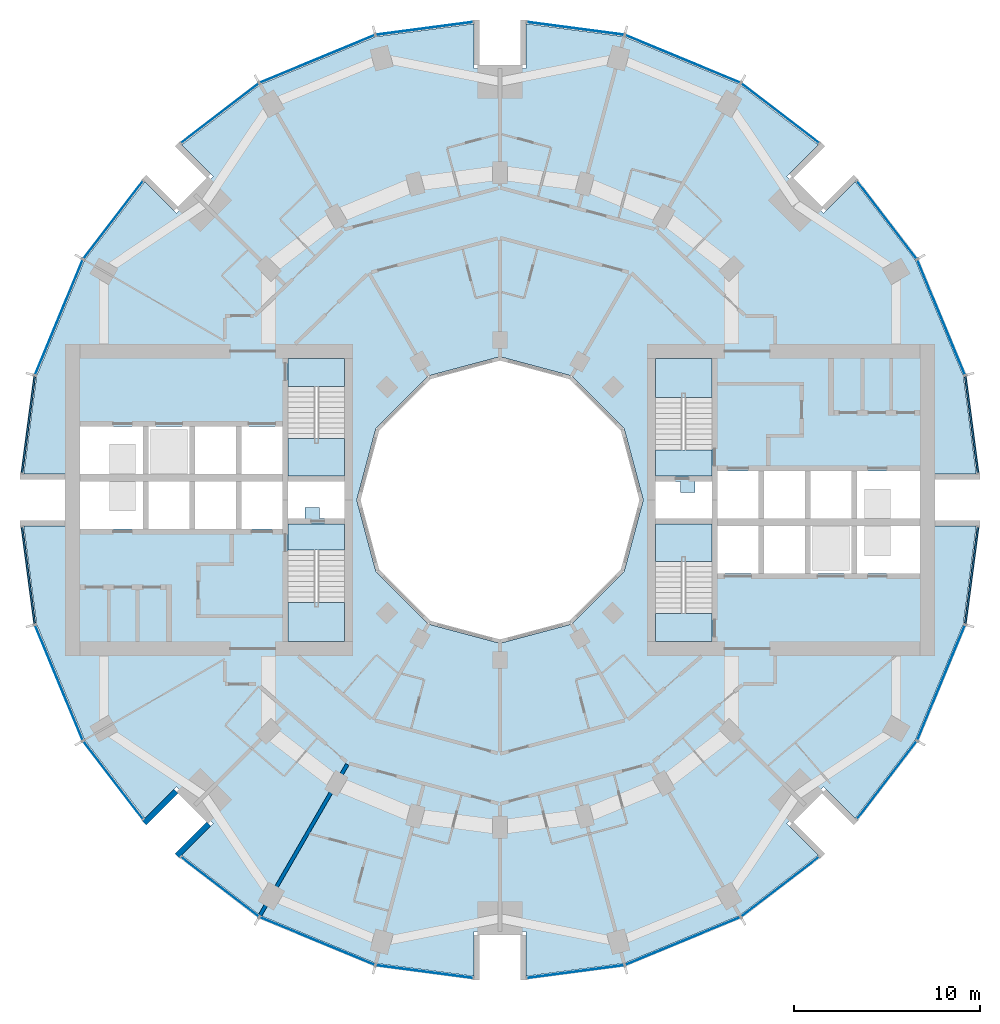
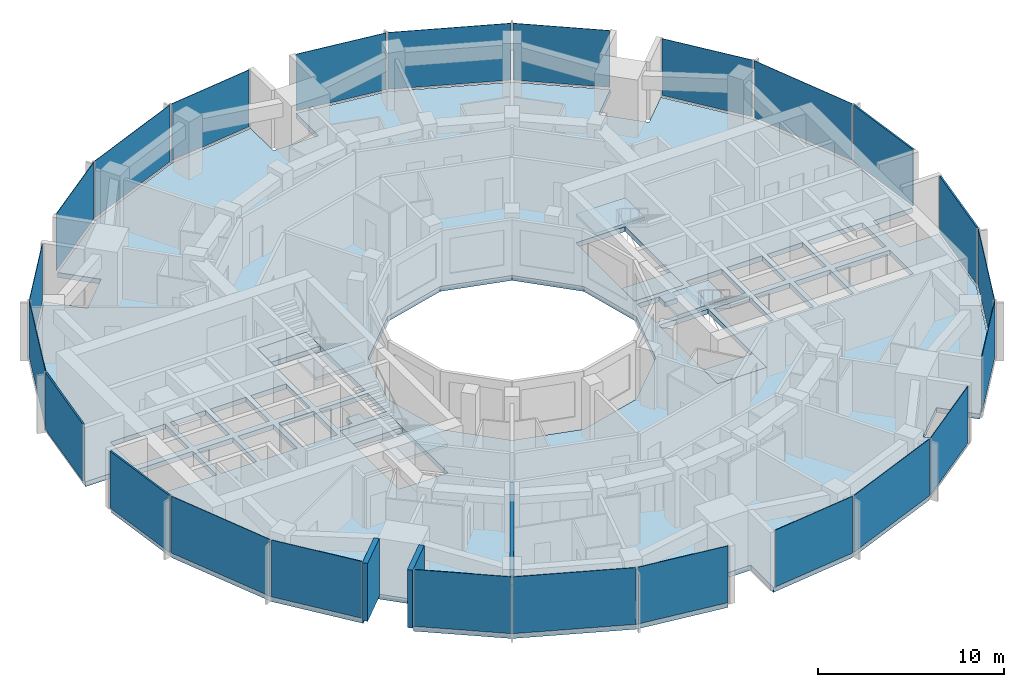
# One storey, part 7 of 15: 24 plates, 9 slabs, 3 walls, 28 elements without a shape of their own.
"""IFC4 building model written with IfcOpenShell, lengths in metres."""

from ifc_helpers import new_model, si_unit, direction, frame, frame_2d, origin, origin_2d, place, context, subcontext, project, spatial, polyline, rectangle, outline, extrude, material, layer, layer_set, type_object, element, aggregate, save


model = new_model("IFC4")

# Units and contexts
model_context = context("Model", 3, precision=1e-05, world=origin(), true_north=direction((0.0, 1.0)))
body_context = subcontext(model_context, "Body", "Model", "MODEL_VIEW")
ifc_project = project(units=[si_unit("LENGTHUNIT", "METRE"), si_unit("AREAUNIT", "SQUARE_METRE"), si_unit("VOLUMEUNIT", "CUBIC_METRE"), si_unit("PLANEANGLEUNIT", "RADIAN"), si_unit("MASSUNIT", "GRAM", prefix="KILO")], contexts=[model_context])

# Site, building, storey
site_placement = place(None, origin())
site = spatial("IfcSite", under=ifc_project, at=site_placement, CompositionType="ELEMENT")
building_placement = place(site_placement, origin())
building = spatial("IfcBuilding", under=site, at=building_placement, Name="Torre Brocal", CompositionType="ELEMENT")
storey_placement = place(building_placement, frame((0.0, 0.0, 51.60009765625)))
storey = spatial("IfcBuildingStorey", under=building, at=storey_placement, Name="L11", CompositionType="ELEMENT", Elevation=51.60009765625)

# Curtain wall, plate
ifc_material_1 = material(Name="Aluminium and glass", Category="aluminium")
ifc_layer_1 = layer(ifc_material_1, 0.199951171875)
ifc_layer_set_1 = layer_set([ifc_layer_1], Name="Aluminium and glass")
curtain_wall_type_1 = type_object("IfcCurtainWallType", Name="CW-1 CURTAIN WALL 3800 HIGH", PredefinedType="NOTDEFINED", material=ifc_layer_set_1)
curtain_wall_1_placement = place(storey_placement, origin())
curtain_wall_1 = element("IfcCurtainWall", 1, at=curtain_wall_1_placement, inside=storey, type_object=curtain_wall_type_1, Name="CW-1 RUN 2", PredefinedType="NOTDEFINED")
ifc_material_2 = material(Name="Glass, dark tinted laminated", Category="glass")
ifc_layer_2 = layer(ifc_material_2, 0.031982421875)
ifc_layer_set_2 = layer_set([ifc_layer_2], Name="Glass, dark tinted laminated")
plate_type_1 = type_object("IfcPlateType", Name="CW-1 GLASS PANEL 32", PredefinedType="CURTAIN_PANEL", material=ifc_layer_set_2)
plate_1_placement = place(storey_placement, frame((103.722900390625, 84.826416015625, 0.080078125), z_axis=(0.0, 0.0, 1.0), x_axis=(-0.382683432333, 0.923879532525, 0.0)))
plate_1 = element("IfcPlate", 2, at=plate_1_placement, type_object=plate_type_1, Name="CW1-1 panel 1.1", PredefinedType="CURTAIN_PANEL", context=body_context, shape_type="SweptSolid", body=[
    extrude(rectangle(XDim=6.64111328125, YDim=0.031982421875, at=origin_2d()), origin(), (0.0, 0.0, 1.0), 3.719970703125),
])
aggregate(curtain_wall_1, [plate_1])

curtain_wall_2_placement = place(storey_placement, origin())
curtain_wall_2 = element("IfcCurtainWall", 3, at=curtain_wall_2_placement, inside=storey, type_object=curtain_wall_type_1, Name="CW-1 RUN 3", PredefinedType="NOTDEFINED")
plate_2_placement = place(storey_placement, frame((100.80126953125, 90.0712890625, 0.080078125), z_axis=(0.0, 0.0, 1.0), x_axis=(-0.60876142905, 0.793353340259, 0.0)))
plate_2 = element("IfcPlate", 4, at=plate_2_placement, type_object=plate_type_1, Name="CW1-1 panel 1.1", PredefinedType="CURTAIN_PANEL", context=body_context, shape_type="SweptSolid", body=[
    extrude(rectangle(XDim=5.22900390625, YDim=0.031982421875, at=origin_2d()), origin(), (0.0, 0.0, 1.0), 3.719970703125),
])
aggregate(curtain_wall_2, [plate_2])

curtain_wall_3_placement = place(storey_placement, origin())
curtain_wall_3 = element("IfcCurtainWall", 5, at=curtain_wall_3_placement, inside=storey, type_object=curtain_wall_type_1, Name="CW-1 RUN 4", PredefinedType="NOTDEFINED")
plate_3_placement = place(storey_placement, frame((95.0712890625, 95.80126953125, 0.080078125), z_axis=(0.0, 0.0, 1.0), x_axis=(-0.793353340259, 0.60876142905, 0.0)))
plate_3 = element("IfcPlate", 6, at=plate_3_placement, type_object=plate_type_1, Name="CW1-1 panel 1.1", PredefinedType="CURTAIN_PANEL", context=body_context, shape_type="SweptSolid", body=[
    extrude(rectangle(XDim=5.22900390625, YDim=0.031982421875, at=origin_2d()), origin(), (0.0, 0.0, 1.0), 3.719970703125),
])
aggregate(curtain_wall_3, [plate_3])

curtain_wall_4_placement = place(storey_placement, origin())
curtain_wall_4 = element("IfcCurtainWall", 7, at=curtain_wall_4_placement, inside=storey, type_object=curtain_wall_type_1, Name="CW-1 RUN 5", PredefinedType="NOTDEFINED")
plate_4_placement = place(storey_placement, frame((89.826416015625, 98.722900390625, 0.080078125), z_axis=(0.0, 0.0, 1.0), x_axis=(-0.923879532525, 0.382683432333, 0.0)))
plate_4 = element("IfcPlate", 8, at=plate_4_placement, type_object=plate_type_1, Name="CW1-1 panel 1.1", PredefinedType="CURTAIN_PANEL", context=body_context, shape_type="SweptSolid", body=[
    extrude(rectangle(XDim=6.64111328125, YDim=0.031982421875, at=origin_2d()), origin(), (0.0, 0.0, 1.0), 3.719970703125),
])
aggregate(curtain_wall_4, [plate_4])

curtain_wall_5_placement = place(storey_placement, origin())
curtain_wall_5 = element("IfcCurtainWall", 9, at=curtain_wall_5_placement, inside=storey, type_object=curtain_wall_type_1, Name="CW-1 RUN 6", PredefinedType="NOTDEFINED")
plate_5_placement = place(storey_placement, frame((84.051513671875, 100.36572265625, 0.080078125), z_axis=(0.0, 0.0, 1.0), x_axis=(-0.991444861374, 0.13052619222, 0.0)))
plate_5 = element("IfcPlate", 10, at=plate_5_placement, type_object=plate_type_1, Name="CW1-1 panel 1.1", PredefinedType="CURTAIN_PANEL", context=body_context, shape_type="SweptSolid", body=[
    extrude(rectangle(XDim=5.22900390625, YDim=0.031982421875, at=origin_2d()), origin(), (0.0, 0.0, 1.0), 3.719970703125),
])
aggregate(curtain_wall_5, [plate_5])

curtain_wall_6_placement = place(storey_placement, origin())
curtain_wall_6 = element("IfcCurtainWall", 11, at=curtain_wall_6_placement, inside=storey, type_object=curtain_wall_type_1, Name="CW-1 RUN 7", PredefinedType="NOTDEFINED")
plate_6_placement = place(storey_placement, frame((75.948486328125, 100.36572265625, 0.080078125), z_axis=(0.0, 0.0, 1.0), x_axis=(-0.991444861374, -0.13052619222, 0.0)))
plate_6 = element("IfcPlate", 12, at=plate_6_placement, type_object=plate_type_1, Name="CW1-1 panel 1.1", PredefinedType="CURTAIN_PANEL", context=body_context, shape_type="SweptSolid", body=[
    extrude(rectangle(XDim=5.22900390625, YDim=0.031982421875, at=origin_2d()), origin(), (0.0, 0.0, 1.0), 3.719970703125),
])
aggregate(curtain_wall_6, [plate_6])

curtain_wall_7_placement = place(storey_placement, origin())
curtain_wall_7 = element("IfcCurtainWall", 13, at=curtain_wall_7_placement, inside=storey, type_object=curtain_wall_type_1, Name="CW-1 RUN 8", PredefinedType="NOTDEFINED")
plate_7_placement = place(storey_placement, frame((70.173583984375, 98.722900390625, 0.080078125), z_axis=(0.0, 0.0, 1.0), x_axis=(-0.923879532525, -0.382683432333, 0.0)))
plate_7 = element("IfcPlate", 14, at=plate_7_placement, type_object=plate_type_1, Name="CW1-1 panel 1.1", PredefinedType="CURTAIN_PANEL", context=body_context, shape_type="SweptSolid", body=[
    extrude(rectangle(XDim=6.64111328125, YDim=0.031982421875, at=origin_2d()), origin(), (0.0, 0.0, 1.0), 3.719970703125),
])
aggregate(curtain_wall_7, [plate_7])

curtain_wall_8_placement = place(storey_placement, origin())
curtain_wall_8 = element("IfcCurtainWall", 15, at=curtain_wall_8_placement, inside=storey, type_object=curtain_wall_type_1, Name="CW-1 RUN 9", PredefinedType="NOTDEFINED")
plate_8_placement = place(storey_placement, frame((64.9287109375, 95.80126953125, 0.080078125), z_axis=(0.0, 0.0, 1.0), x_axis=(-0.793353340259, -0.60876142905, 0.0)))
plate_8 = element("IfcPlate", 16, at=plate_8_placement, type_object=plate_type_1, Name="CW1-1 panel 1.1", PredefinedType="CURTAIN_PANEL", context=body_context, shape_type="SweptSolid", body=[
    extrude(rectangle(XDim=5.22900390625, YDim=0.031982421875, at=origin_2d()), origin(), (0.0, 0.0, 1.0), 3.719970703125),
])
aggregate(curtain_wall_8, [plate_8])

curtain_wall_9_placement = place(storey_placement, origin())
curtain_wall_9 = element("IfcCurtainWall", 17, at=curtain_wall_9_placement, inside=storey, type_object=curtain_wall_type_1, Name="CW-1 RUN 10", PredefinedType="NOTDEFINED")
plate_9_placement = place(storey_placement, frame((59.19873046875, 90.0712890625, 0.080078125), z_axis=(0.0, 0.0, 1.0), x_axis=(-0.60876142905, -0.793353340259, 0.0)))
plate_9 = element("IfcPlate", 18, at=plate_9_placement, type_object=plate_type_1, Name="CW1-1 panel 1.1", PredefinedType="CURTAIN_PANEL", context=body_context, shape_type="SweptSolid", body=[
    extrude(rectangle(XDim=5.22900390625, YDim=0.031982421875, at=origin_2d()), origin(), (0.0, 0.0, 1.0), 3.719970703125),
])
aggregate(curtain_wall_9, [plate_9])

curtain_wall_10_placement = place(storey_placement, origin())
curtain_wall_10 = element("IfcCurtainWall", 19, at=curtain_wall_10_placement, inside=storey, type_object=curtain_wall_type_1, Name="CW-1 RUN 11", PredefinedType="NOTDEFINED")
plate_10_placement = place(storey_placement, frame((56.277099609375, 84.826416015625, 0.080078125), z_axis=(0.0, 0.0, 1.0), x_axis=(-0.382683432333, -0.923879532525, 0.0)))
plate_10 = element("IfcPlate", 20, at=plate_10_placement, type_object=plate_type_1, Name="CW1-1 panel 1.1", PredefinedType="CURTAIN_PANEL", context=body_context, shape_type="SweptSolid", body=[
    extrude(rectangle(XDim=6.64111328125, YDim=0.031982421875, at=origin_2d()), origin(), (0.0, 0.0, 1.0), 3.719970703125),
])
aggregate(curtain_wall_10, [plate_10])

curtain_wall_11_placement = place(storey_placement, origin())
curtain_wall_11 = element("IfcCurtainWall", 21, at=curtain_wall_11_placement, inside=storey, type_object=curtain_wall_type_1, Name="CW-1 RUN 14", PredefinedType="NOTDEFINED")
plate_11_placement = place(storey_placement, frame((56.277099609375, 65.173583984375, 0.080078125), z_axis=(0.0, 0.0, 1.0), x_axis=(0.382683432333, -0.923879532525, 0.0)))
plate_11 = element("IfcPlate", 22, at=plate_11_placement, type_object=plate_type_1, Name="CW1-1 panel 1.1", PredefinedType="CURTAIN_PANEL", context=body_context, shape_type="SweptSolid", body=[
    extrude(rectangle(XDim=6.64111328125, YDim=0.031982421875, at=origin_2d()), origin(), (0.0, 0.0, 1.0), 3.719970703125),
])
aggregate(curtain_wall_11, [plate_11])

curtain_wall_12_placement = place(storey_placement, origin())
curtain_wall_12 = element("IfcCurtainWall", 23, at=curtain_wall_12_placement, inside=storey, type_object=curtain_wall_type_1, Name="CW-1 RUN 15", PredefinedType="NOTDEFINED")
plate_12_placement = place(storey_placement, frame((59.19873046875, 59.9287109375, 0.080078125), z_axis=(0.0, 0.0, 1.0), x_axis=(0.60876142905, -0.793353340259, 0.0)))
plate_12 = element("IfcPlate", 24, at=plate_12_placement, type_object=plate_type_1, Name="CW1-1 panel 1.1", PredefinedType="CURTAIN_PANEL", context=body_context, shape_type="SweptSolid", body=[
    extrude(rectangle(XDim=5.22900390625, YDim=0.031982421875, at=origin_2d()), origin(), (0.0, 0.0, 1.0), 3.719970703125),
])
aggregate(curtain_wall_12, [plate_12])

curtain_wall_13_placement = place(storey_placement, origin())
curtain_wall_13 = element("IfcCurtainWall", 25, at=curtain_wall_13_placement, inside=storey, type_object=curtain_wall_type_1, Name="CW-1 RUN 16", PredefinedType="NOTDEFINED")
plate_13_placement = place(storey_placement, frame((64.9287109375, 54.19873046875, 0.080078125), z_axis=(0.0, 0.0, 1.0), x_axis=(0.793353340259, -0.60876142905, 0.0)))
plate_13 = element("IfcPlate", 26, at=plate_13_placement, type_object=plate_type_1, Name="CW1-1 panel 1.1", PredefinedType="CURTAIN_PANEL", context=body_context, shape_type="SweptSolid", body=[
    extrude(rectangle(XDim=5.22900390625, YDim=0.031982421875, at=origin_2d()), origin(), (0.0, 0.0, 1.0), 3.719970703125),
])
aggregate(curtain_wall_13, [plate_13])

curtain_wall_14_placement = place(storey_placement, origin())
curtain_wall_14 = element("IfcCurtainWall", 27, at=curtain_wall_14_placement, inside=storey, type_object=curtain_wall_type_1, Name="CW-1 RUN 17", PredefinedType="NOTDEFINED")
plate_14_placement = place(storey_placement, frame((70.173583984375, 51.277099609375, 0.080078125), z_axis=(0.0, 0.0, 1.0), x_axis=(0.923879532525, -0.382683432333, 0.0)))
plate_14 = element("IfcPlate", 28, at=plate_14_placement, type_object=plate_type_1, Name="CW1-1 panel 1.1", PredefinedType="CURTAIN_PANEL", context=body_context, shape_type="SweptSolid", body=[
    extrude(rectangle(XDim=6.64111328125, YDim=0.031982421875, at=origin_2d()), origin(), (0.0, 0.0, 1.0), 3.719970703125),
])
aggregate(curtain_wall_14, [plate_14])

curtain_wall_15_placement = place(storey_placement, origin())
curtain_wall_15 = element("IfcCurtainWall", 29, at=curtain_wall_15_placement, inside=storey, type_object=curtain_wall_type_1, Name="CW-1 RUN 18", PredefinedType="NOTDEFINED")
plate_15_placement = place(storey_placement, frame((75.948486328125, 49.63427734375, 0.080078125), z_axis=(0.0, 0.0, 1.0), x_axis=(0.991444861374, -0.13052619222, 0.0)))
plate_15 = element("IfcPlate", 30, at=plate_15_placement, type_object=plate_type_1, Name="CW1-1 panel 1.1", PredefinedType="CURTAIN_PANEL", context=body_context, shape_type="SweptSolid", body=[
    extrude(rectangle(XDim=5.22900390625, YDim=0.031982421875, at=origin_2d()), origin(), (0.0, 0.0, 1.0), 3.719970703125),
])
aggregate(curtain_wall_15, [plate_15])

curtain_wall_16_placement = place(storey_placement, origin())
curtain_wall_16 = element("IfcCurtainWall", 31, at=curtain_wall_16_placement, inside=storey, type_object=curtain_wall_type_1, Name="CW-1 RUN 19", PredefinedType="NOTDEFINED")
plate_16_placement = place(storey_placement, frame((84.051513671875, 49.63427734375, 0.080078125), z_axis=(0.0, 0.0, 1.0), x_axis=(0.991444861374, 0.13052619222, 0.0)))
plate_16 = element("IfcPlate", 32, at=plate_16_placement, type_object=plate_type_1, Name="CW1-1 panel 1.1", PredefinedType="CURTAIN_PANEL", context=body_context, shape_type="SweptSolid", body=[
    extrude(rectangle(XDim=5.22900390625, YDim=0.031982421875, at=origin_2d()), origin(), (0.0, 0.0, 1.0), 3.719970703125),
])
aggregate(curtain_wall_16, [plate_16])

curtain_wall_17_placement = place(storey_placement, origin())
curtain_wall_17 = element("IfcCurtainWall", 33, at=curtain_wall_17_placement, inside=storey, type_object=curtain_wall_type_1, Name="CW-1 RUN 20", PredefinedType="NOTDEFINED")
plate_17_placement = place(storey_placement, frame((89.826416015625, 51.277099609375, 0.080078125), z_axis=(0.0, 0.0, 1.0), x_axis=(0.923879532525, 0.382683432333, 0.0)))
plate_17 = element("IfcPlate", 34, at=plate_17_placement, type_object=plate_type_1, Name="CW1-1 panel 1.1", PredefinedType="CURTAIN_PANEL", context=body_context, shape_type="SweptSolid", body=[
    extrude(rectangle(XDim=6.64111328125, YDim=0.031982421875, at=origin_2d()), origin(), (0.0, 0.0, 1.0), 3.719970703125),
])
aggregate(curtain_wall_17, [plate_17])

curtain_wall_18_placement = place(storey_placement, origin())
curtain_wall_18 = element("IfcCurtainWall", 35, at=curtain_wall_18_placement, inside=storey, type_object=curtain_wall_type_1, Name="CW-1 RUN 21", PredefinedType="NOTDEFINED")
plate_18_placement = place(storey_placement, frame((95.0712890625, 54.19873046875, 0.080078125), z_axis=(0.0, 0.0, 1.0), x_axis=(0.793353340259, 0.60876142905, 0.0)))
plate_18 = element("IfcPlate", 36, at=plate_18_placement, type_object=plate_type_1, Name="CW1-1 panel 1.1", PredefinedType="CURTAIN_PANEL", context=body_context, shape_type="SweptSolid", body=[
    extrude(rectangle(XDim=5.22900390625, YDim=0.031982421875, at=origin_2d()), origin(), (0.0, 0.0, 1.0), 3.719970703125),
])
aggregate(curtain_wall_18, [plate_18])

curtain_wall_19_placement = place(storey_placement, origin())
curtain_wall_19 = element("IfcCurtainWall", 37, at=curtain_wall_19_placement, inside=storey, type_object=curtain_wall_type_1, Name="CW-1 RUN 22", PredefinedType="NOTDEFINED")
plate_19_placement = place(storey_placement, frame((100.80126953125, 59.9287109375, 0.080078125), z_axis=(0.0, 0.0, 1.0), x_axis=(0.60876142905, 0.793353340259, 0.0)))
plate_19 = element("IfcPlate", 38, at=plate_19_placement, type_object=plate_type_1, Name="CW1-1 panel 1.1", PredefinedType="CURTAIN_PANEL", context=body_context, shape_type="SweptSolid", body=[
    extrude(rectangle(XDim=5.22900390625, YDim=0.031982421875, at=origin_2d()), origin(), (0.0, 0.0, 1.0), 3.719970703125),
])
aggregate(curtain_wall_19, [plate_19])

curtain_wall_20_placement = place(storey_placement, origin())
curtain_wall_20 = element("IfcCurtainWall", 39, at=curtain_wall_20_placement, inside=storey, type_object=curtain_wall_type_1, Name="CW-1 RUN 23", PredefinedType="NOTDEFINED")
plate_20_placement = place(storey_placement, frame((103.722900390625, 65.173583984375, 0.080078125), z_axis=(0.0, 0.0, 1.0), x_axis=(0.382683432333, 0.923879532525, 0.0)))
plate_20 = element("IfcPlate", 40, at=plate_20_placement, type_object=plate_type_1, Name="CW1-1 panel 1.1", PredefinedType="CURTAIN_PANEL", context=body_context, shape_type="SweptSolid", body=[
    extrude(rectangle(XDim=6.64111328125, YDim=0.031982421875, at=origin_2d()), origin(), (0.0, 0.0, 1.0), 3.719970703125),
])
aggregate(curtain_wall_20, [plate_20])

ifc_material_3 = material(Name="Aluminium and glass", Category="aluminium")
ifc_layer_3 = layer(ifc_material_3, 0.199951171875)
ifc_layer_set_3 = layer_set([ifc_layer_3], Name="Aluminium and glass")
curtain_wall_type_2 = type_object("IfcCurtainWallType", Name="CW-1B CURTAIN WALL 3800 HIGH", PredefinedType="NOTDEFINED", material=ifc_layer_set_3)
curtain_wall_21_placement = place(storey_placement, origin())
curtain_wall_21 = element("IfcCurtainWall", 41, at=curtain_wall_21_placement, inside=storey, type_object=curtain_wall_type_2, Name="CW-1B RUN 1", PredefinedType="NOTDEFINED")
ifc_material_4 = material(Name="Aluminium composite panel", Category="aluminium")
ifc_layer_4 = layer(ifc_material_4, 0.10009765625)
ifc_layer_set_4 = layer_set([ifc_layer_4], Name="Aluminium composite panel")
plate_type_2 = type_object("IfcPlateType", Name="CW-1B OPAQUE PANEL 100", PredefinedType="CURTAIN_PANEL", material=ifc_layer_set_4)
plate_21_placement = place(storey_placement, frame((105.36572265625, 79.051513671875, 0.080078125), z_axis=(0.0, 0.0, 1.0), x_axis=(-0.13052619222, 0.991444861374, 0.0)))
plate_21 = element("IfcPlate", 42, at=plate_21_placement, type_object=plate_type_2, Name="CW1B-1 panel 1.1", PredefinedType="CURTAIN_PANEL", context=body_context, shape_type="SweptSolid", body=[
    extrude(rectangle(XDim=5.22900390625, YDim=0.10009765625, at=origin_2d()), origin(), (0.0, 0.0, 1.0), 3.719970703125),
])
aggregate(curtain_wall_21, [plate_21])

curtain_wall_22_placement = place(storey_placement, origin())
curtain_wall_22 = element("IfcCurtainWall", 43, at=curtain_wall_22_placement, inside=storey, type_object=curtain_wall_type_2, Name="CW-1B RUN 12", PredefinedType="NOTDEFINED")
plate_22_placement = place(storey_placement, frame((54.63427734375, 79.051513671875, 0.080078125), z_axis=(0.0, 0.0, 1.0), x_axis=(-0.13052619222, -0.991444861374, 0.0)))
plate_22 = element("IfcPlate", 44, at=plate_22_placement, type_object=plate_type_2, Name="CW1B-1 panel 1.1", PredefinedType="CURTAIN_PANEL", context=body_context, shape_type="SweptSolid", body=[
    extrude(rectangle(XDim=5.22900390625, YDim=0.10009765625, at=origin_2d()), origin(), (0.0, 0.0, 1.0), 3.719970703125),
])
aggregate(curtain_wall_22, [plate_22])

curtain_wall_23_placement = place(storey_placement, origin())
curtain_wall_23 = element("IfcCurtainWall", 45, at=curtain_wall_23_placement, inside=storey, type_object=curtain_wall_type_2, Name="CW-1B RUN 13", PredefinedType="NOTDEFINED")
plate_23_placement = place(storey_placement, frame((54.63427734375, 70.948486328125, 0.080078125), z_axis=(0.0, 0.0, 1.0), x_axis=(0.13052619222, -0.991444861374, 0.0)))
plate_23 = element("IfcPlate", 46, at=plate_23_placement, type_object=plate_type_2, Name="CW1B-1 panel 1.1", PredefinedType="CURTAIN_PANEL", context=body_context, shape_type="SweptSolid", body=[
    extrude(rectangle(XDim=5.22900390625, YDim=0.10009765625, at=origin_2d()), origin(), (0.0, 0.0, 1.0), 3.719970703125),
])
aggregate(curtain_wall_23, [plate_23])

curtain_wall_24_placement = place(storey_placement, origin())
curtain_wall_24 = element("IfcCurtainWall", 47, at=curtain_wall_24_placement, inside=storey, type_object=curtain_wall_type_2, Name="CW-1B RUN 24", PredefinedType="NOTDEFINED")
plate_24_placement = place(storey_placement, frame((105.36572265625, 70.948486328125, 0.080078125), z_axis=(0.0, 0.0, 1.0), x_axis=(0.13052619222, 0.991444861374, 0.0)))
plate_24 = element("IfcPlate", 48, at=plate_24_placement, type_object=plate_type_2, Name="CW1B-1 panel 1.1", PredefinedType="CURTAIN_PANEL", context=body_context, shape_type="SweptSolid", body=[
    extrude(rectangle(XDim=5.22900390625, YDim=0.10009765625, at=origin_2d()), origin(), (0.0, 0.0, 1.0), 3.719970703125),
])
aggregate(curtain_wall_24, [plate_24])

# Stair, slab
ifc_material_5 = material(Name="Concrete C50", Category="concrete")
stair_type = type_object("IfcStairType", Name="EXIT STAIR", PredefinedType="HALF_TURN_STAIR", material=ifc_material_5)
stair_1_placement = place(storey_placement, origin())
stair_1 = element("IfcStair", 49, at=stair_1_placement, inside=storey, type_object=stair_type, Name="EXIT STAIR ST1", PredefinedType="HALF_TURN_STAIR")
ifc_material_6 = material(Name="Concrete C50", Category="concrete")
ifc_layer_5 = layer(ifc_material_6, 0.320068359375)
ifc_layer_set_5 = layer_set([ifc_layer_5], Name="Concrete C50")
slab_type_1 = type_object("IfcSlabType", Name="FLOOR LANDING 320", PredefinedType="LANDING", material=ifc_layer_set_5)
slab_1_placement = place(storey_placement, frame((0.0, 0.0, -0.320068359375)))
slab_1 = element("IfcSlab", 50, at=slab_1_placement, type_object=slab_type_1, Name="ST1 landing 1", PredefinedType="LANDING", context=body_context, shape_type="SweptSolid", body=[
    extrude(outline(polyline([(88.35009765625, 76.300048828125), (91.39990234375, 76.300048828125), (91.39990234375, 77.699951171875), (88.35009765625, 77.699951171875), (88.35009765625, 76.300048828125)])), origin(), (0.0, 0.0, 1.0), 0.320068359375),
])

stair_2_placement = place(storey_placement, origin())
stair_2 = element("IfcStair", 51, at=stair_2_placement, inside=storey, type_object=stair_type, Name="EXIT STAIR ST2", PredefinedType="HALF_TURN_STAIR")
slab_2_placement = place(storey_placement, frame((0.0, 0.0, -0.320068359375)))
slab_2 = element("IfcSlab", 52, at=slab_2_placement, type_object=slab_type_1, Name="ST2 landing 1", PredefinedType="LANDING", context=body_context, shape_type="SweptSolid", body=[
    extrude(outline(polyline([(88.35009765625, 67.39990234375), (91.39990234375, 67.39990234375), (91.39990234375, 68.89990234375), (88.35009765625, 68.89990234375), (88.35009765625, 67.39990234375)])), origin(), (0.0, 0.0, 1.0), 0.320068359375),
])

stair_3_placement = place(storey_placement, origin())
stair_3 = element("IfcStair", 53, at=stair_3_placement, inside=storey, type_object=stair_type, Name="EXIT STAIR ST3", PredefinedType="HALF_TURN_STAIR")
slab_3_placement = place(storey_placement, frame((0.0, 0.0, -0.320068359375)))
slab_3 = element("IfcSlab", 54, at=slab_3_placement, type_object=slab_type_1, Name="ST3 landing 1", PredefinedType="LANDING", context=body_context, shape_type="SweptSolid", body=[
    extrude(outline(polyline([(71.64990234375, 73.699951171875), (68.60009765625, 73.699951171875), (68.60009765625, 72.300048828125), (71.64990234375, 72.300048828125), (71.64990234375, 73.699951171875)])), origin(), (0.0, 0.0, 1.0), 0.320068359375),
])

stair_4_placement = place(storey_placement, origin())
stair_4 = element("IfcStair", 55, at=stair_4_placement, inside=storey, type_object=stair_type, Name="EXIT STAIR ST4", PredefinedType="HALF_TURN_STAIR")
slab_4_placement = place(storey_placement, frame((0.0, 0.0, -0.320068359375)))
slab_4 = element("IfcSlab", 56, at=slab_4_placement, type_object=slab_type_1, Name="ST4 landing 1", PredefinedType="LANDING", context=body_context, shape_type="SweptSolid", body=[
    extrude(outline(polyline([(71.64990234375, 82.60009765625), (68.60009765625, 82.60009765625), (68.60009765625, 81.10009765625), (71.64990234375, 81.10009765625), (71.64990234375, 82.60009765625)])), origin(), (0.0, 0.0, 1.0), 0.320068359375),
])

# Slab
ifc_material_7 = material(Name="Concrete C50", Category="concrete")
ifc_layer_6 = layer(ifc_material_7, 0.199951171875)
ifc_layer_set_6 = layer_set([ifc_layer_6], Name="Concrete C50")
slab_type_2 = type_object("IfcSlabType", Name="MID LANDING +1900", PredefinedType="LANDING", material=ifc_layer_set_6)
slab_5_placement = place(storey_placement, frame((0.0, 0.0, 1.699951171875)))
slab_5 = element("IfcSlab", 57, at=slab_5_placement, type_object=slab_type_2, Name="ST1 landing 2", PredefinedType="LANDING", context=body_context, shape_type="SweptSolid", body=[
    extrude(outline(polyline([(88.35009765625, 80.5), (91.39990234375, 80.5), (91.39990234375, 82.60009765625), (88.35009765625, 82.60009765625), (88.35009765625, 80.5)])), origin(), (0.0, 0.0, 1.0), 0.199951171875),
])

aggregate(stair_1, [slab_1, slab_5])

slab_6_placement = place(storey_placement, frame((0.0, 0.0, 1.699951171875)))
slab_6 = element("IfcSlab", 58, at=slab_6_placement, type_object=slab_type_2, Name="ST2 landing 2", PredefinedType="LANDING", context=body_context, shape_type="SweptSolid", body=[
    extrude(outline(polyline([(88.35009765625, 71.699951171875), (91.39990234375, 71.699951171875), (91.39990234375, 73.699951171875), (88.35009765625, 73.699951171875), (88.35009765625, 71.699951171875)])), origin(), (0.0, 0.0, 1.0), 0.199951171875),
])

aggregate(stair_2, [slab_2, slab_6])

slab_7_placement = place(storey_placement, frame((0.0, 0.0, 1.699951171875)))
slab_7 = element("IfcSlab", 59, at=slab_7_placement, type_object=slab_type_2, Name="ST3 landing 2", PredefinedType="LANDING", context=body_context, shape_type="SweptSolid", body=[
    extrude(outline(polyline([(71.64990234375, 69.5), (68.60009765625, 69.5), (68.60009765625, 67.39990234375), (71.64990234375, 67.39990234375), (71.64990234375, 69.5)])), origin(), (0.0, 0.0, 1.0), 0.199951171875),
])

aggregate(stair_3, [slab_3, slab_7])

slab_8_placement = place(storey_placement, frame((0.0, 0.0, 1.699951171875)))
slab_8 = element("IfcSlab", 60, at=slab_8_placement, type_object=slab_type_2, Name="ST4 landing 2", PredefinedType="LANDING", context=body_context, shape_type="SweptSolid", body=[
    extrude(outline(polyline([(71.64990234375, 78.300048828125), (68.60009765625, 78.300048828125), (68.60009765625, 76.300048828125), (71.64990234375, 76.300048828125), (71.64990234375, 78.300048828125)])), origin(), (0.0, 0.0, 1.0), 0.199951171875),
])

aggregate(stair_4, [slab_4, slab_8])

ifc_material_8 = material(Name="Concrete C45", Category="concrete")
ifc_layer_7 = layer(ifc_material_8, 0.320068359375)
ifc_layer_set_7 = layer_set([ifc_layer_7], Name="Concrete C45")
slab_type_3 = type_object("IfcSlabType", Name="PT FLOOR SLAB 320 C45", PredefinedType="FLOOR", material=ifc_layer_set_7)
slab_9_placement = place(storey_placement, frame((0.0, 0.0, -0.320068359375)))
element("IfcSlab", 61, at=slab_9_placement, inside=storey, type_object=slab_type_3, Name="Slab ST-05", PredefinedType="FLOOR", context=body_context, shape_type="SweptSolid", body=[
    extrude(outline(polyline([(103.199951171875, 76.39990234375), (103.199951171875, 73.60009765625), (105.614013671875, 73.60009765625), (104.919189453125, 68.322998046875), (102.342041015625, 62.100830078125), (99.101806640625, 57.878173828125), (97.394775390625, 59.5849609375), (95.4150390625, 57.605224609375), (97.121826171875, 55.898193359375), (92.899169921875, 52.657958984375), (86.677001953125, 50.080810546875), (81.39990234375, 49.385986328125), (81.39990234375, 51.800048828125), (78.60009765625, 51.800048828125), (78.60009765625, 49.385986328125), (73.322998046875, 50.080810546875), (67.100830078125, 52.657958984375), (62.878173828125, 55.898193359375), (64.5849609375, 57.605224609375), (62.605224609375, 59.5849609375), (60.898193359375, 57.878173828125), (57.657958984375, 62.100830078125), (55.080810546875, 68.322998046875), (54.385986328125, 73.60009765625), (56.800048828125, 73.60009765625), (56.800048828125, 76.39990234375), (54.385986328125, 76.39990234375), (55.080810546875, 81.677001953125), (57.657958984375, 87.899169921875), (60.898193359375, 92.121826171875), (62.605224609375, 90.4150390625), (64.5849609375, 92.394775390625), (62.878173828125, 94.101806640625), (67.100830078125, 97.342041015625), (73.322998046875, 99.919189453125), (78.60009765625, 100.614013671875), (78.60009765625, 98.199951171875), (81.39990234375, 98.199951171875), (81.39990234375, 100.614013671875), (86.677001953125, 99.919189453125), (92.899169921875, 97.342041015625), (97.121826171875, 94.101806640625), (95.4150390625, 92.394775390625), (97.394775390625, 90.4150390625), (99.101806640625, 92.121826171875), (102.342041015625, 87.899169921875), (104.919189453125, 81.677001953125), (105.614013671875, 76.39990234375), (103.199951171875, 76.39990234375)]), holes=[polyline([(102.60009765625, 74.0), (102.60009765625, 76.550048828125), (99.199951171875, 76.550048828125), (99.199951171875, 74.0), (102.60009765625, 74.0)]), polyline([(102.60009765625, 71.050048828125), (102.60009765625, 73.60009765625), (99.199951171875, 73.60009765625), (99.199951171875, 71.050048828125), (102.60009765625, 71.050048828125)]), polyline([(98.89990234375, 76.550048828125), (96.699951171875, 76.550048828125), (96.699951171875, 74.0), (98.89990234375, 74.0), (98.89990234375, 76.550048828125)]), polyline([(98.89990234375, 71.050048828125), (98.89990234375, 73.60009765625), (96.699951171875, 73.60009765625), (96.699951171875, 71.050048828125), (98.89990234375, 71.050048828125)]), polyline([(96.39990234375, 73.60009765625), (94.199951171875, 73.60009765625), (94.199951171875, 71.050048828125), (96.39990234375, 71.050048828125), (96.39990234375, 73.60009765625)]), polyline([(96.39990234375, 74.0), (96.39990234375, 76.550048828125), (94.199951171875, 76.550048828125), (94.199951171875, 74.0), (96.39990234375, 74.0)]), polyline([(93.89990234375, 73.60009765625), (91.699951171875, 73.60009765625), (91.699951171875, 71.050048828125), (93.89990234375, 71.050048828125), (93.89990234375, 73.60009765625)]), polyline([(93.89990234375, 74.0), (93.89990234375, 76.550048828125), (91.699951171875, 76.550048828125), (91.699951171875, 74.0), (93.89990234375, 74.0)]), polyline([(91.39990234375, 76.300048828125), (91.39990234375, 82.60009765625), (88.35009765625, 82.60009765625), (88.35009765625, 76.300048828125), (91.39990234375, 76.300048828125)]), polyline([(91.39990234375, 73.699951171875), (88.35009765625, 73.699951171875), (88.35009765625, 67.39990234375), (91.39990234375, 67.39990234375), (91.39990234375, 73.699951171875)]), polyline([(89.699951171875, 76.0), (88.35009765625, 76.0), (88.35009765625, 74.0), (91.39990234375, 74.0), (91.39990234375, 76.0), (90.5, 76.0), (90.5, 75.39990234375), (89.699951171875, 75.39990234375), (89.699951171875, 76.0)]), polyline([(80.0, 82.70703125), (76.146484375, 81.674560546875), (73.325439453125, 78.853515625), (72.29296875, 75.0), (73.325439453125, 71.146484375), (76.146484375, 68.325439453125), (80.0, 67.29296875), (83.853515625, 68.325439453125), (86.674560546875, 71.146484375), (87.70703125, 75.0), (86.674560546875, 78.853515625), (83.853515625, 81.674560546875), (80.0, 82.70703125)]), polyline([(68.60009765625, 82.60009765625), (68.60009765625, 76.300048828125), (71.64990234375, 76.300048828125), (71.64990234375, 82.60009765625), (68.60009765625, 82.60009765625)]), polyline([(70.300048828125, 74.0), (71.64990234375, 74.0), (71.64990234375, 76.0), (68.60009765625, 76.0), (68.60009765625, 74.0), (69.5, 74.0), (69.5, 74.60009765625), (70.300048828125, 74.60009765625), (70.300048828125, 74.0)]), polyline([(68.60009765625, 67.39990234375), (71.64990234375, 67.39990234375), (71.64990234375, 73.699951171875), (68.60009765625, 73.699951171875), (68.60009765625, 67.39990234375)]), polyline([(66.10009765625, 78.949951171875), (66.10009765625, 76.39990234375), (68.300048828125, 76.39990234375), (68.300048828125, 78.949951171875), (66.10009765625, 78.949951171875)]), polyline([(66.10009765625, 76.0), (66.10009765625, 73.449951171875), (68.300048828125, 73.449951171875), (68.300048828125, 76.0), (66.10009765625, 76.0)]), polyline([(63.60009765625, 76.0), (63.60009765625, 73.449951171875), (65.800048828125, 73.449951171875), (65.800048828125, 76.0), (63.60009765625, 76.0)]), polyline([(63.60009765625, 76.39990234375), (65.800048828125, 76.39990234375), (65.800048828125, 78.949951171875), (63.60009765625, 78.949951171875), (63.60009765625, 76.39990234375)]), polyline([(61.10009765625, 78.949951171875), (61.10009765625, 76.39990234375), (63.300048828125, 76.39990234375), (63.300048828125, 78.949951171875), (61.10009765625, 78.949951171875)]), polyline([(61.10009765625, 73.449951171875), (63.300048828125, 73.449951171875), (63.300048828125, 76.0), (61.10009765625, 76.0), (61.10009765625, 73.449951171875)]), polyline([(57.39990234375, 73.449951171875), (60.800048828125, 73.449951171875), (60.800048828125, 76.0), (57.39990234375, 76.0), (57.39990234375, 73.449951171875)]), polyline([(57.39990234375, 78.949951171875), (57.39990234375, 76.39990234375), (60.800048828125, 76.39990234375), (60.800048828125, 78.949951171875), (57.39990234375, 78.949951171875)])]), origin(), (0.0, 0.0, 1.0), 0.320068359375),
])

# Walls
ifc_material_9 = material(Name="Concrete C80", Category="concrete")
ifc_layer_8 = layer(ifc_material_9, 0.300048828125)
ifc_layer_set_8 = layer_set([ifc_layer_8], Name="Concrete C80")
wall_type_1 = type_object("IfcWallType", Name="NOTCH RETURN WALL 300 C80", PredefinedType="NOTDEFINED", material=ifc_layer_set_8)
for number, where, z_axis, x_axis, name in (
    (62, (62.56982421875, 59.337646484375, 0.0), (0.0, 0.0, 1.0), (-0.707106781187, -0.707106781187, 0.0), "NOTCH RETURN WALL"),
    (63, (64.337646484375, 57.56982421875, 0.0), (0.0, 0.0, 1.0), (-0.707106781187, -0.707106781187, 0.0), "NOTCH RETURN WALL"),
):
    element("IfcWall", number, at=place(storey_placement, frame(where, z_axis=z_axis, x_axis=x_axis)), inside=storey, type_object=wall_type_1, Name=name, PredefinedType="NOTDEFINED", context=body_context, shape_type="SweptSolid", body=[
        extrude(rectangle(XDim=2.415771484375, YDim=0.300048828125, at=frame_2d((1.2080078125, 0.0))), origin(), (0.0, 0.0, 1.0), 3.7998046875),
    ])
ifc_material_10 = material(Name="Gypsum board", Category="Gypsum")
ifc_layer_9 = layer(ifc_material_10, 0.199951171875)
ifc_layer_set_9 = layer_set([ifc_layer_9], Name="Gypsum board")
wall_type_2 = type_object("IfcWallType", Name="PARTITION 200 EI60", PredefinedType="PARTITIONING", material=ifc_layer_set_9)
wall_placement = place(storey_placement, frame((67.09521484375, 52.662109375, 0.0), z_axis=(0.0, 0.0, 1.0), x_axis=(0.500247659952, 0.865882370021, 0.0)))
element("IfcWall", 64, at=wall_placement, inside=storey, type_object=wall_type_2, Name="PARTY PARTITION", PredefinedType="PARTITIONING", context=body_context, shape_type="SweptSolid", body=[
    extrude(rectangle(XDim=9.374755859375, YDim=0.199951171875, at=frame_2d((4.6875, 0.0))), origin(), (0.0, 0.0, 1.0), 3.349853515625),
])

save(model, "model.ifc")
